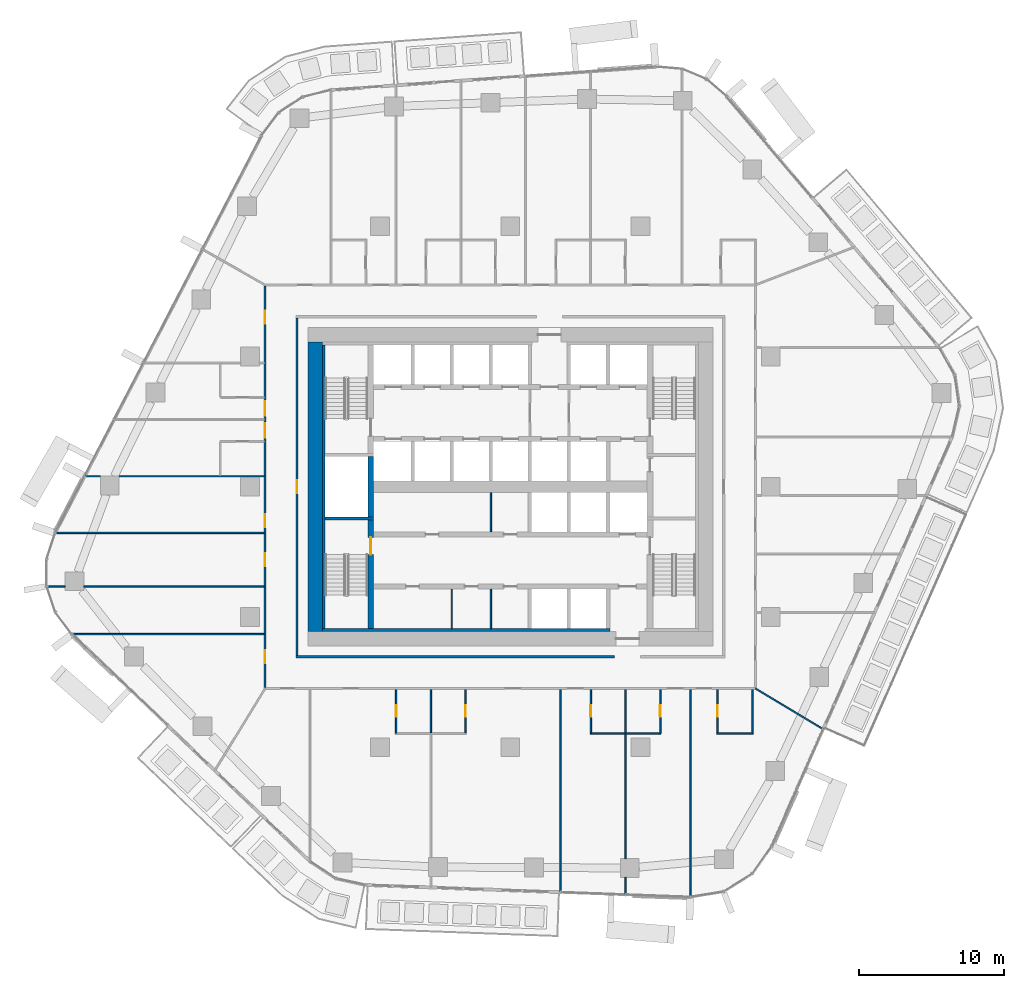
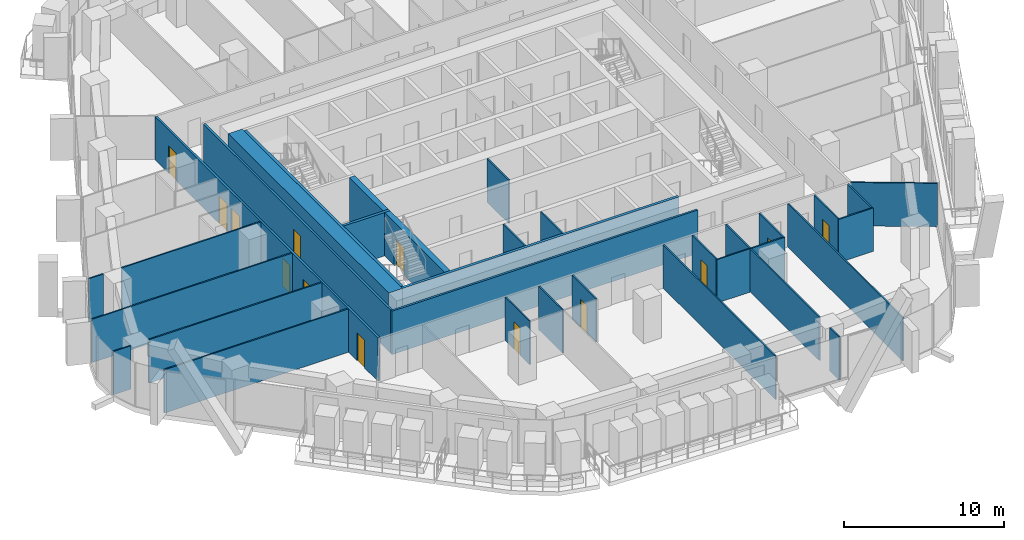
# One storey, part 12 of 24: 33 walls, 13 doors, 13 openings.
"""IFC4 building model written with IfcOpenShell, lengths in metres."""

from ifc_helpers import new_model, si_unit, direction, frame, frame_2d, origin, place, context, subcontext, project, spatial, rectangle, extrude, material, layer, layer_set, type_object, element, fill, save


model = new_model("IFC4")

# Units and contexts
model_context = context("Model", 3, precision=1e-05, world=origin(), true_north=direction((0.0, 1.0)))
body_context = subcontext(model_context, "Body", "Model", "MODEL_VIEW")
ifc_project = project(units=[si_unit("LENGTHUNIT", "METRE"), si_unit("AREAUNIT", "SQUARE_METRE"), si_unit("VOLUMEUNIT", "CUBIC_METRE"), si_unit("PLANEANGLEUNIT", "RADIAN"), si_unit("MASSUNIT", "GRAM", prefix="KILO")], contexts=[model_context])

# Site, building, storey
site_placement = place(None, origin())
site = spatial("IfcSite", under=ifc_project, at=site_placement, CompositionType="ELEMENT")
building_placement = place(site_placement, origin())
building = spatial("IfcBuilding", under=site, at=building_placement, Name="Dongbaek Canopy Tower", CompositionType="ELEMENT")
storey_placement = place(building_placement, frame((0.0, 0.0, 113.699951171875)))
storey = spatial("IfcBuildingStorey", under=building, at=storey_placement, Name="L24", CompositionType="ELEMENT", Elevation=113.699951171875)

# Walls
ifc_material_1 = material(Name="Concrete C60/75", Category="concrete")
ifc_layer_1 = layer(ifc_material_1, 1.0)
ifc_layer_set_1 = layer_set([ifc_layer_1], Name="Core outer wall 1000 Concrete C60/75")
wall_type_1 = type_object("IfcWallType", Name="Core outer wall 1000 Concrete C60/75", PredefinedType="SHEAR", material=ifc_layer_set_1)
wall_1_placement = place(storey_placement, frame((-13.5, -10.0, 0.0), z_axis=(0.0, 0.0, 1.0), x_axis=(0.0, 1.0, 0.0)))
element("IfcWall", 1, at=wall_1_placement, inside=storey, type_object=wall_type_1, Name="Core wall", PredefinedType="SHEAR", context=body_context, shape_type="SweptSolid", body=[
    extrude(rectangle(XDim=20.0, YDim=1.0, at=frame_2d((10.0, 0.0))), origin(), (0.0, 0.0, 1.0), 3.300048828125),
])
ifc_material_2 = material(Name="Concrete C60/75", Category="concrete")
ifc_layer_2 = layer(ifc_material_2, 0.199951171875)
ifc_layer_set_2 = layer_set([ifc_layer_2], Name="Core wall lining 200 Concrete C60/75")
wall_type_2 = type_object("IfcWallType", Name="Core wall lining 200 Concrete C60/75", PredefinedType="SHEAR", material=ifc_layer_set_2)
wall_2_placement = place(storey_placement, frame((6.89990234375, -9.89990234375, 0.0), z_axis=(0.0, 0.0, 1.0), x_axis=(-1.0, 0.0, 0.0)))
element("IfcWall", 2, at=wall_2_placement, inside=storey, type_object=wall_type_2, Name="Core wall lining", PredefinedType="SHEAR", context=body_context, shape_type="SweptSolid", body=[
    extrude(rectangle(XDim=19.89990234375, YDim=0.199951171875, at=frame_2d((9.949951171875, 0.0))), origin(), (0.0, 0.0, 1.0), 3.300048828125),
])
wall_3_placement = place(storey_placement, frame((-12.89990234375, -9.800048828125, 0.0), z_axis=(0.0, 0.0, 1.0), x_axis=(0.0, 1.0, 0.0)))
element("IfcWall", 3, at=wall_3_placement, inside=storey, type_object=wall_type_2, Name="Core wall lining", PredefinedType="SHEAR", context=body_context, shape_type="SweptSolid", body=[
    extrude(rectangle(XDim=19.60009765625, YDim=0.199951171875, at=frame_2d((9.800048828125, 0.0))), origin(), (0.0, 0.0, 1.0), 3.300048828125),
])
ifc_material_3 = material(Name="Gypsum board partition, steel stud, 2 x 15 mm fire board", Category="steel")
ifc_layer_3 = layer(ifc_material_3, 0.14990234375)
ifc_layer_set_3 = layer_set([ifc_layer_3], Name="Fire-rated partition 150 gypsum board")
wall_type_3 = type_object("IfcWallType", Name="Fire-rated partition 150 gypsum board", PredefinedType="PARTITIONING", material=ifc_layer_set_3)
wall_4_placement = place(storey_placement, frame((-14.824951171875, -11.75, 0.0), z_axis=(0.0, 0.0, 1.0), x_axis=(1.0, 0.0, 0.0)))
element("IfcWall", 4, at=wall_4_placement, inside=storey, type_object=wall_type_3, Name="Corridor partition", PredefinedType="PARTITIONING", context=body_context, shape_type="SweptSolid", body=[
    extrude(rectangle(XDim=22.02490234375, YDim=0.14990234375, at=frame_2d((11.012451171875, 0.0))), origin(), (0.0, 0.0, 1.0), 3.300048828125),
])

# Wall, opening, door
wall_5_placement = place(storey_placement, frame((-14.75, 11.675048828125, 0.0), z_axis=(0.0, 0.0, 1.0), x_axis=(0.0, -1.0, 0.0)))
wall_5 = element("IfcWall", 5, at=wall_5_placement, inside=storey, type_object=wall_type_3, Name="Corridor partition", PredefinedType="PARTITIONING", context=body_context, shape_type="SweptSolid", body=[
    extrude(rectangle(XDim=23.35009765625, YDim=0.14990234375, at=frame_2d((11.675048828125, 0.0))), origin(), (0.0, 0.0, 1.0), 3.300048828125),
])
opening_1_placement = place(wall_5_placement, frame((11.22509765625, 0.0, 0.0)))
opening_1 = element("IfcOpeningElement", 6, at=opening_1_placement, cuts=wall_5, Name="Opening L24-D039", PredefinedType="OPENING", context=body_context, shape_type="SweptSolid", body=[
    extrude(rectangle(XDim=0.89990234375, YDim=2.10009765625, at=frame_2d((0.449951171875, 1.050048828125))), frame((0.0, 0.0849609375, 0.0), z_axis=(0.0, -1.0, 0.0), x_axis=(1.0, 0.0, 0.0)), (0.0, 0.0, 1.0), 0.169921875),
])
ifc_material_4 = material(Name="Timber veneered door leaf", Category="wood")
door_type_1 = type_object("IfcDoorType", Name="Room door 900 x 2100", OperationType="SINGLE_SWING_LEFT", PredefinedType="DOOR", material=ifc_material_4)
door_1_placement = place(opening_1_placement, origin())
door_1 = element("IfcDoor", 7, at=door_1_placement, inside=storey, type_object=door_type_1, Name="Door L24-D039", OperationType="SINGLE_SWING_RIGHT", OverallHeight=2.10009765625, OverallWidth=0.89990234375, PredefinedType="DOOR", context=body_context, shape_type="SweptSolid", body=[
    extrude(rectangle(XDim=0.89990234375, YDim=2.10009765625, at=frame_2d((0.449951171875, 1.050048828125))), frame((0.0, 0.02490234375, 0.0), z_axis=(0.0, -1.0, 0.0), x_axis=(1.0, 0.0, 0.0)), (0.0, 0.0, 1.0), 0.050048828125),
])
fill(opening_1, door_1)

# Wall, openings, doors
wall_6_placement = place(storey_placement, frame((-16.949951171875, -13.875, 0.0), z_axis=(0.0, 0.0, 1.0), x_axis=(0.0, 1.0, 0.0)))
wall_6 = element("IfcWall", 8, at=wall_6_placement, inside=storey, type_object=wall_type_3, Name="Corridor partition", PredefinedType="PARTITIONING", context=body_context, shape_type="SweptSolid", body=[
    extrude(rectangle(XDim=27.75, YDim=0.14990234375, at=frame_2d((13.875, 0.0))), origin(), (0.0, 0.0, 1.0), 3.300048828125),
])
opening_2_placement = place(wall_6_placement, frame((11.059814453125, 0.0, 0.0)))
opening_2 = element("IfcOpeningElement", 9, at=opening_2_placement, cuts=wall_6, Name="Opening L24-D001", PredefinedType="OPENING", context=body_context, shape_type="SweptSolid", body=[
    extrude(rectangle(XDim=0.89990234375, YDim=2.10009765625, at=frame_2d((0.449951171875, 1.050048828125))), frame((0.0, 0.0849609375, 0.0), z_axis=(0.0, -1.0, 0.0), x_axis=(1.0, 0.0, 0.0)), (0.0, 0.0, 1.0), 0.169921875),
])
opening_3_placement = place(wall_6_placement, frame((8.386962890625, 0.0, 0.0)))
opening_3 = element("IfcOpeningElement", 10, at=opening_3_placement, cuts=wall_6, Name="Opening L24-D002", PredefinedType="OPENING", context=body_context, shape_type="SweptSolid", body=[
    extrude(rectangle(XDim=0.89990234375, YDim=2.10009765625, at=frame_2d((0.449951171875, 1.050048828125))), frame((0.0, 0.0849609375, 0.0), z_axis=(0.0, -1.0, 0.0), x_axis=(1.0, 0.0, 0.0)), (0.0, 0.0, 1.0), 0.169921875),
])
opening_4_placement = place(wall_6_placement, frame((1.665771484375, 0.0, 0.0)))
opening_4 = element("IfcOpeningElement", 11, at=opening_4_placement, cuts=wall_6, Name="Opening L24-D003", PredefinedType="OPENING", context=body_context, shape_type="SweptSolid", body=[
    extrude(rectangle(XDim=0.89990234375, YDim=2.10009765625, at=frame_2d((0.449951171875, 1.050048828125))), frame((0.0, 0.0849609375, 0.0), z_axis=(0.0, -1.0, 0.0), x_axis=(1.0, 0.0, 0.0)), (0.0, 0.0, 1.0), 0.169921875),
])
opening_5_placement = place(wall_6_placement, frame((25.151611328125, 0.0, 0.0)))
opening_5 = element("IfcOpeningElement", 12, at=opening_5_placement, cuts=wall_6, Name="Opening L24-D034", PredefinedType="OPENING", context=body_context, shape_type="SweptSolid", body=[
    extrude(rectangle(XDim=0.89990234375, YDim=2.10009765625, at=frame_2d((0.449951171875, 1.050048828125))), frame((0.0, 0.0849609375, 0.0), z_axis=(0.0, -1.0, 0.0), x_axis=(1.0, 0.0, 0.0)), (0.0, 0.0, 1.0), 0.169921875),
])
opening_6_placement = place(wall_6_placement, frame((18.78173828125, 0.0, 0.0)))
opening_6 = element("IfcOpeningElement", 13, at=opening_6_placement, cuts=wall_6, Name="Opening L24-D036", PredefinedType="OPENING", context=body_context, shape_type="SweptSolid", body=[
    extrude(rectangle(XDim=1.0, YDim=2.10009765625, at=frame_2d((0.5, 1.050048828125))), frame((0.0, 0.0849609375, 0.0), z_axis=(0.0, -1.0, 0.0), x_axis=(1.0, 0.0, 0.0)), (0.0, 0.0, 1.0), 0.169921875),
])
opening_7_placement = place(wall_6_placement, frame((17.259765625, 0.0, 0.0)))
opening_7 = element("IfcOpeningElement", 14, at=opening_7_placement, cuts=wall_6, Name="Opening L24-D038", PredefinedType="OPENING", context=body_context, shape_type="SweptSolid", body=[
    extrude(rectangle(XDim=1.0, YDim=2.10009765625, at=frame_2d((0.5, 1.050048828125))), frame((0.0, 0.0849609375, 0.0), z_axis=(0.0, -1.0, 0.0), x_axis=(1.0, 0.0, 0.0)), (0.0, 0.0, 1.0), 0.169921875),
])
ifc_material_5 = material(Name="Timber veneered door leaf", Category="wood")
door_type_2 = type_object("IfcDoorType", Name="Guest room door 1000 x 2100", OperationType="SINGLE_SWING_LEFT", PredefinedType="DOOR", material=ifc_material_5)
door_2_placement = place(opening_6_placement, origin())
door_2 = element("IfcDoor", 15, at=door_2_placement, inside=storey, type_object=door_type_2, Name="Door L24-D036", OperationType="SINGLE_SWING_RIGHT", OverallHeight=2.10009765625, OverallWidth=1.0, PredefinedType="DOOR", context=body_context, shape_type="SweptSolid", body=[
    extrude(rectangle(XDim=1.0, YDim=2.10009765625, at=frame_2d((0.5, 1.050048828125))), frame((0.0, 0.02490234375, 0.0), z_axis=(0.0, -1.0, 0.0), x_axis=(1.0, 0.0, 0.0)), (0.0, 0.0, 1.0), 0.050048828125),
])
fill(opening_6, door_2)
door_3_placement = place(opening_7_placement, origin())
door_3 = element("IfcDoor", 16, at=door_3_placement, inside=storey, type_object=door_type_2, Name="Door L24-D038", OperationType="SINGLE_SWING_LEFT", OverallHeight=2.10009765625, OverallWidth=1.0, PredefinedType="DOOR", context=body_context, shape_type="SweptSolid", body=[
    extrude(rectangle(XDim=1.0, YDim=2.10009765625, at=frame_2d((0.5, 1.050048828125))), frame((0.0, 0.02490234375, 0.0), z_axis=(0.0, -1.0, 0.0), x_axis=(1.0, 0.0, 0.0)), (0.0, 0.0, 1.0), 0.050048828125),
])
fill(opening_7, door_3)
door_4_placement = place(opening_2_placement, origin())
door_4 = element("IfcDoor", 17, at=door_4_placement, inside=storey, type_object=door_type_1, Name="Door L24-D001", OperationType="SINGLE_SWING_RIGHT", OverallHeight=2.10009765625, OverallWidth=0.89990234375, PredefinedType="DOOR", context=body_context, shape_type="SweptSolid", body=[
    extrude(rectangle(XDim=0.89990234375, YDim=2.10009765625, at=frame_2d((0.449951171875, 1.050048828125))), frame((0.0, 0.02490234375, 0.0), z_axis=(0.0, -1.0, 0.0), x_axis=(1.0, 0.0, 0.0)), (0.0, 0.0, 1.0), 0.050048828125),
])
fill(opening_2, door_4)
door_5_placement = place(opening_3_placement, origin())
door_5 = element("IfcDoor", 18, at=door_5_placement, inside=storey, type_object=door_type_1, Name="Door L24-D002", OperationType="SINGLE_SWING_LEFT", OverallHeight=2.10009765625, OverallWidth=0.89990234375, PredefinedType="DOOR", context=body_context, shape_type="SweptSolid", body=[
    extrude(rectangle(XDim=0.89990234375, YDim=2.10009765625, at=frame_2d((0.449951171875, 1.050048828125))), frame((0.0, 0.02490234375, 0.0), z_axis=(0.0, -1.0, 0.0), x_axis=(1.0, 0.0, 0.0)), (0.0, 0.0, 1.0), 0.050048828125),
])
fill(opening_3, door_5)
door_6_placement = place(opening_4_placement, origin())
door_6 = element("IfcDoor", 19, at=door_6_placement, inside=storey, type_object=door_type_1, Name="Door L24-D003", OperationType="SINGLE_SWING_LEFT", OverallHeight=2.10009765625, OverallWidth=0.89990234375, PredefinedType="DOOR", context=body_context, shape_type="SweptSolid", body=[
    extrude(rectangle(XDim=0.89990234375, YDim=2.10009765625, at=frame_2d((0.449951171875, 1.050048828125))), frame((0.0, 0.02490234375, 0.0), z_axis=(0.0, -1.0, 0.0), x_axis=(1.0, 0.0, 0.0)), (0.0, 0.0, 1.0), 0.050048828125),
])
fill(opening_4, door_6)
door_7_placement = place(opening_5_placement, origin())
door_7 = element("IfcDoor", 20, at=door_7_placement, inside=storey, type_object=door_type_1, Name="Door L24-D034", OperationType="SINGLE_SWING_LEFT", OverallHeight=2.10009765625, OverallWidth=0.89990234375, PredefinedType="DOOR", context=body_context, shape_type="SweptSolid", body=[
    extrude(rectangle(XDim=0.89990234375, YDim=2.10009765625, at=frame_2d((0.449951171875, 1.050048828125))), frame((0.0, 0.02490234375, 0.0), z_axis=(0.0, -1.0, 0.0), x_axis=(1.0, 0.0, 0.0)), (0.0, 0.0, 1.0), 0.050048828125),
])
fill(opening_5, door_7)

# Walls
ifc_material_6 = material(Name="Gypsum board partition, steel stud, 2 x 12.5 mm board", Category="steel")
ifc_layer_4 = layer(ifc_material_6, 0.10009765625)
ifc_layer_set_4 = layer_set([ifc_layer_4], Name="Partition 100 gypsum board")
wall_type_4 = type_object("IfcWallType", Name="Partition 100 gypsum board", PredefinedType="PARTITIONING", material=ifc_layer_set_4)
wall_7_placement = place(storey_placement, frame((5.5126953125, -17.050048828125, 0.0), z_axis=(0.0, 0.0, 1.0), x_axis=(1.0, 0.0, 0.0)))
element("IfcWall", 21, at=wall_7_placement, inside=storey, type_object=wall_type_4, Name="Partition", PredefinedType="PARTITIONING", context=body_context, shape_type="SweptSolid", body=[
    extrude(rectangle(XDim=4.89990234375, YDim=0.10009765625, at=frame_2d((2.449951171875, 0.0))), origin(), (0.0, 0.0, 1.0), 3.300048828125),
])
wall_8_placement = place(storey_placement, frame((14.2724609375, -17.050048828125, 0.0), z_axis=(0.0, 0.0, 1.0), x_axis=(1.0, 0.0, 0.0)))
element("IfcWall", 22, at=wall_8_placement, inside=storey, type_object=wall_type_4, Name="Partition", PredefinedType="PARTITIONING", context=body_context, shape_type="SweptSolid", body=[
    extrude(rectangle(XDim=2.5, YDim=0.10009765625, at=frame_2d((1.25, 0.0))), origin(), (0.0, 0.0, 1.0), 3.300048828125),
])
wall_9_placement = place(storey_placement, frame((-30.268310546875, -10.19091796875, 0.0), z_axis=(0.0, 0.0, 1.0), x_axis=(1.0, 0.0, 0.0)))
element("IfcWall", 23, at=wall_9_placement, inside=storey, type_object=wall_type_4, Name="Partition", PredefinedType="PARTITIONING", context=body_context, shape_type="SweptSolid", body=[
    extrude(rectangle(XDim=13.243408203125, YDim=0.10009765625, at=frame_2d((6.62158203125, 0.0))), origin(), (0.0, 0.0, 1.0), 3.300048828125),
])
wall_10_placement = place(storey_placement, frame((-32.02685546875, -6.885009765625, 0.0), z_axis=(0.0, 0.0, 1.0), x_axis=(1.0, 0.0, 0.0)))
element("IfcWall", 24, at=wall_10_placement, inside=storey, type_object=wall_type_4, Name="Partition", PredefinedType="PARTITIONING", context=body_context, shape_type="SweptSolid", body=[
    extrude(rectangle(XDim=1.251953125, YDim=0.10009765625, at=frame_2d((0.6259765625, 0.0))), origin(), (0.0, 0.0, 1.0), 3.300048828125),
])
wall_11_placement = place(storey_placement, frame((-29.47509765625, -6.885009765625, 0.0), z_axis=(0.0, 0.0, 1.0), x_axis=(1.0, 0.0, 0.0)))
element("IfcWall", 25, at=wall_11_placement, inside=storey, type_object=wall_type_4, Name="Partition", PredefinedType="PARTITIONING", context=body_context, shape_type="SweptSolid", body=[
    extrude(rectangle(XDim=12.4501953125, YDim=0.10009765625, at=frame_2d((6.22509765625, 0.0))), origin(), (0.0, 0.0, 1.0), 3.300048828125),
])
wall_12_placement = place(storey_placement, frame((-31.43896484375, -3.19091796875, 0.0), z_axis=(0.0, 0.0, 1.0), x_axis=(1.0, 0.0, 0.0)))
element("IfcWall", 26, at=wall_12_placement, inside=storey, type_object=wall_type_4, Name="Partition", PredefinedType="PARTITIONING", context=body_context, shape_type="SweptSolid", body=[
    extrude(rectangle(XDim=14.4140625, YDim=0.10009765625, at=frame_2d((7.20703125, 0.0))), origin(), (0.0, 0.0, 1.0), 3.300048828125),
])
wall_13_placement = place(storey_placement, frame((-29.406005859375, 0.72412109375, 0.0), z_axis=(0.0, 0.0, 1.0), x_axis=(1.0, 0.0, 0.0)))
element("IfcWall", 27, at=wall_13_placement, inside=storey, type_object=wall_type_4, Name="Partition", PredefinedType="PARTITIONING", context=body_context, shape_type="SweptSolid", body=[
    extrude(rectangle(XDim=1.06298828125, YDim=0.10009765625, at=frame_2d((0.531494140625, 0.0))), origin(), (0.0, 0.0, 1.0), 3.300048828125),
])
wall_14_placement = place(storey_placement, frame((-27.04296875, 0.72412109375, 0.0), z_axis=(0.0, 0.0, 1.0), x_axis=(1.0, 0.0, 0.0)))
element("IfcWall", 28, at=wall_14_placement, inside=storey, type_object=wall_type_4, Name="Partition", PredefinedType="PARTITIONING", context=body_context, shape_type="SweptSolid", body=[
    extrude(rectangle(XDim=10.01806640625, YDim=0.10009765625, at=frame_2d((5.009033203125, 0.0))), origin(), (0.0, 0.0, 1.0), 3.300048828125),
])
wall_15_placement = place(storey_placement, frame((16.721923828125, -17.0, 0.0), z_axis=(0.0, 0.0, 1.0), x_axis=(0.0, 1.0, 0.0)))
element("IfcWall", 29, at=wall_15_placement, inside=storey, type_object=wall_type_4, Name="Partition", PredefinedType="PARTITIONING", context=body_context, shape_type="SweptSolid", body=[
    extrude(rectangle(XDim=2.97509765625, YDim=0.10009765625, at=frame_2d((1.487548828125, 0.0))), origin(), (0.0, 0.0, 1.0), 3.300048828125),
])

# Wall, opening, door
wall_16_placement = place(storey_placement, frame((14.322021484375, -14.02490234375, 0.0), z_axis=(0.0, 0.0, 1.0), x_axis=(0.0, -1.0, 0.0)))
wall_16 = element("IfcWall", 30, at=wall_16_placement, inside=storey, type_object=wall_type_4, Name="Partition", PredefinedType="PARTITIONING", context=body_context, shape_type="SweptSolid", body=[
    extrude(rectangle(XDim=3.025146484375, YDim=0.10009765625, at=frame_2d((1.5126953125, 0.0))), origin(), (0.0, 0.0, 1.0), 3.300048828125),
])
opening_8_placement = place(wall_16_placement, frame((1.074951171875, 0.0, 0.0)))
opening_8 = element("IfcOpeningElement", 31, at=opening_8_placement, cuts=wall_16, Name="Opening L24-D013", PredefinedType="OPENING", context=body_context, shape_type="SweptSolid", body=[
    extrude(rectangle(XDim=0.800048828125, YDim=2.10009765625, at=frame_2d((0.39990234375, 1.050048828125))), frame((0.0, 0.06005859375, 0.0), z_axis=(0.0, -1.0, 0.0), x_axis=(1.0, 0.0, 0.0)), (0.0, 0.0, 1.0), 0.1201171875),
])
ifc_material_7 = material(Name="Timber veneered door leaf", Category="wood")
door_type_3 = type_object("IfcDoorType", Name="En-suite door 800 x 2100", OperationType="SINGLE_SWING_LEFT", PredefinedType="DOOR", material=ifc_material_7)
door_8_placement = place(opening_8_placement, origin())
door_8 = element("IfcDoor", 32, at=door_8_placement, inside=storey, type_object=door_type_3, Name="Door L24-D013", OperationType="SINGLE_SWING_RIGHT", OverallHeight=2.10009765625, OverallWidth=0.800048828125, PredefinedType="DOOR", context=body_context, shape_type="SweptSolid", body=[
    extrude(rectangle(XDim=0.800048828125, YDim=2.10009765625, at=frame_2d((0.39990234375, 1.050048828125))), frame((0.0, 0.02490234375, 0.0), z_axis=(0.0, -1.0, 0.0), x_axis=(1.0, 0.0, 0.0)), (0.0, 0.0, 1.0), 0.050048828125),
])
fill(opening_8, door_8)

# Wall
wall_17_placement = place(storey_placement, frame((12.43994140625, -28.33447265625, 0.0), z_axis=(0.0, 0.0, 1.0), x_axis=(0.0, 1.0, 0.0)))
element("IfcWall", 33, at=wall_17_placement, inside=storey, type_object=wall_type_4, Name="Partition", PredefinedType="PARTITIONING", context=body_context, shape_type="SweptSolid", body=[
    extrude(rectangle(XDim=14.3095703125, YDim=0.10009765625, at=frame_2d((7.15478515625, 0.0))), origin(), (0.0, 0.0, 1.0), 3.300048828125),
])

# Wall, opening, door
wall_18_placement = place(storey_placement, frame((10.363037109375, -17.050048828125, 0.0), z_axis=(0.0, 0.0, 1.0), x_axis=(0.0, 1.0, 0.0)))
wall_18 = element("IfcWall", 34, at=wall_18_placement, inside=storey, type_object=wall_type_4, Name="Partition", PredefinedType="PARTITIONING", context=body_context, shape_type="SweptSolid", body=[
    extrude(rectangle(XDim=3.025146484375, YDim=0.10009765625, at=frame_2d((1.5126953125, 0.0))), origin(), (0.0, 0.0, 1.0), 3.300048828125),
])
opening_9_placement = place(wall_18_placement, frame((1.14990234375, 0.0, 0.0)))
opening_9 = element("IfcOpeningElement", 35, at=opening_9_placement, cuts=wall_18, Name="Opening L24-D011", PredefinedType="OPENING", context=body_context, shape_type="SweptSolid", body=[
    extrude(rectangle(XDim=0.800048828125, YDim=2.10009765625, at=frame_2d((0.39990234375, 1.050048828125))), frame((0.0, 0.06005859375, 0.0), z_axis=(0.0, -1.0, 0.0), x_axis=(1.0, 0.0, 0.0)), (0.0, 0.0, 1.0), 0.1201171875),
])
door_9_placement = place(opening_9_placement, origin())
door_9 = element("IfcDoor", 36, at=door_9_placement, inside=storey, type_object=door_type_3, Name="Door L24-D011", OperationType="SINGLE_SWING_LEFT", OverallHeight=2.10009765625, OverallWidth=0.800048828125, PredefinedType="DOOR", context=body_context, shape_type="SweptSolid", body=[
    extrude(rectangle(XDim=0.800048828125, YDim=2.10009765625, at=frame_2d((0.39990234375, 1.050048828125))), frame((0.0, 0.02490234375, 0.0), z_axis=(0.0, -1.0, 0.0), x_axis=(1.0, 0.0, 0.0)), (0.0, 0.0, 1.0), 0.050048828125),
])
fill(opening_9, door_9)

# Walls
wall_19_placement = place(storey_placement, frame((7.962890625, -28.169677734375, 0.0), z_axis=(0.0, 0.0, 1.0), x_axis=(0.0, 1.0, 0.0)))
element("IfcWall", 37, at=wall_19_placement, inside=storey, type_object=wall_type_4, Name="Partition", PredefinedType="PARTITIONING", context=body_context, shape_type="SweptSolid", body=[
    extrude(rectangle(XDim=1.170654296875, YDim=0.10009765625, at=frame_2d((0.58544921875, 0.0))), origin(), (0.0, 0.0, 1.0), 3.300048828125),
])
wall_20_placement = place(storey_placement, frame((7.962890625, -25.698974609375, 0.0), z_axis=(0.0, 0.0, 1.0), x_axis=(0.0, 1.0, 0.0)))
element("IfcWall", 38, at=wall_20_placement, inside=storey, type_object=wall_type_4, Name="Partition", PredefinedType="PARTITIONING", context=body_context, shape_type="SweptSolid", body=[
    extrude(rectangle(XDim=8.598876953125, YDim=0.10009765625, at=frame_2d((4.29931640625, 0.0))), origin(), (0.0, 0.0, 1.0), 3.300048828125),
])
wall_21_placement = place(storey_placement, frame((7.962890625, -17.0, 0.0), z_axis=(0.0, 0.0, 1.0), x_axis=(0.0, 1.0, 0.0)))
element("IfcWall", 39, at=wall_21_placement, inside=storey, type_object=wall_type_4, Name="Partition", PredefinedType="PARTITIONING", context=body_context, shape_type="SweptSolid", body=[
    extrude(rectangle(XDim=2.97509765625, YDim=0.10009765625, at=frame_2d((1.487548828125, 0.0))), origin(), (0.0, 0.0, 1.0), 3.300048828125),
])

# Wall, opening, door
wall_22_placement = place(storey_placement, frame((5.56298828125, -14.02490234375, 0.0), z_axis=(0.0, 0.0, 1.0), x_axis=(0.0, -1.0, 0.0)))
wall_22 = element("IfcWall", 40, at=wall_22_placement, inside=storey, type_object=wall_type_4, Name="Partition", PredefinedType="PARTITIONING", context=body_context, shape_type="SweptSolid", body=[
    extrude(rectangle(XDim=2.97509765625, YDim=0.10009765625, at=frame_2d((1.487548828125, 0.0))), origin(), (0.0, 0.0, 1.0), 3.300048828125),
])
opening_10_placement = place(wall_22_placement, frame((1.074951171875, 0.0, 0.0)))
opening_10 = element("IfcOpeningElement", 41, at=opening_10_placement, cuts=wall_22, Name="Opening L24-D009", PredefinedType="OPENING", context=body_context, shape_type="SweptSolid", body=[
    extrude(rectangle(XDim=0.800048828125, YDim=2.10009765625, at=frame_2d((0.39990234375, 1.050048828125))), frame((0.0, 0.06005859375, 0.0), z_axis=(0.0, -1.0, 0.0), x_axis=(1.0, 0.0, 0.0)), (0.0, 0.0, 1.0), 0.1201171875),
])
door_10_placement = place(opening_10_placement, origin())
door_10 = element("IfcDoor", 42, at=door_10_placement, inside=storey, type_object=door_type_3, Name="Door L24-D009", OperationType="SINGLE_SWING_RIGHT", OverallHeight=2.10009765625, OverallWidth=0.800048828125, PredefinedType="DOOR", context=body_context, shape_type="SweptSolid", body=[
    extrude(rectangle(XDim=0.800048828125, YDim=2.10009765625, at=frame_2d((0.39990234375, 1.050048828125))), frame((0.0, 0.02490234375, 0.0), z_axis=(0.0, -1.0, 0.0), x_axis=(1.0, 0.0, 0.0)), (0.0, 0.0, 1.0), 0.050048828125),
])
fill(opening_10, door_10)

# Wall
wall_23_placement = place(storey_placement, frame((3.47607421875, -28.00390625, 0.0), z_axis=(0.0, 0.0, 1.0), x_axis=(0.0, 1.0, 0.0)))
element("IfcWall", 43, at=wall_23_placement, inside=storey, type_object=wall_type_4, Name="Partition", PredefinedType="PARTITIONING", context=body_context, shape_type="SweptSolid", body=[
    extrude(rectangle(XDim=13.97900390625, YDim=0.10009765625, at=frame_2d((6.989501953125, 0.0))), origin(), (0.0, 0.0, 1.0), 3.300048828125),
])

# Wall, opening, door
wall_24_placement = place(storey_placement, frame((-3.092041015625, -17.0, 0.0), z_axis=(0.0, 0.0, 1.0), x_axis=(0.0, 1.0, 0.0)))
wall_24 = element("IfcWall", 44, at=wall_24_placement, inside=storey, type_object=wall_type_4, Name="Partition", PredefinedType="PARTITIONING", context=body_context, shape_type="SweptSolid", body=[
    extrude(rectangle(XDim=2.97509765625, YDim=0.10009765625, at=frame_2d((1.487548828125, 0.0))), origin(), (0.0, 0.0, 1.0), 3.300048828125),
])
opening_11_placement = place(wall_24_placement, frame((1.10009765625, 0.0, 0.0)))
opening_11 = element("IfcOpeningElement", 45, at=opening_11_placement, cuts=wall_24, Name="Opening L24-D007", PredefinedType="OPENING", context=body_context, shape_type="SweptSolid", body=[
    extrude(rectangle(XDim=0.800048828125, YDim=2.10009765625, at=frame_2d((0.39990234375, 1.050048828125))), frame((0.0, 0.06005859375, 0.0), z_axis=(0.0, -1.0, 0.0), x_axis=(1.0, 0.0, 0.0)), (0.0, 0.0, 1.0), 0.1201171875),
])
door_11_placement = place(opening_11_placement, origin())
door_11 = element("IfcDoor", 46, at=door_11_placement, inside=storey, type_object=door_type_3, Name="Door L24-D007", OperationType="SINGLE_SWING_LEFT", OverallHeight=2.10009765625, OverallWidth=0.800048828125, PredefinedType="DOOR", context=body_context, shape_type="SweptSolid", body=[
    extrude(rectangle(XDim=0.800048828125, YDim=2.10009765625, at=frame_2d((0.39990234375, 1.050048828125))), frame((0.0, 0.02490234375, 0.0), z_axis=(0.0, -1.0, 0.0), x_axis=(1.0, 0.0, 0.0)), (0.0, 0.0, 1.0), 0.050048828125),
])
fill(opening_11, door_11)

# Wall
wall_25_placement = place(storey_placement, frame((-5.491943359375, -17.0, 0.0), z_axis=(0.0, 0.0, 1.0), x_axis=(0.0, 1.0, 0.0)))
element("IfcWall", 47, at=wall_25_placement, inside=storey, type_object=wall_type_4, Name="Partition", PredefinedType="PARTITIONING", context=body_context, shape_type="SweptSolid", body=[
    extrude(rectangle(XDim=2.97509765625, YDim=0.10009765625, at=frame_2d((1.487548828125, 0.0))), origin(), (0.0, 0.0, 1.0), 3.300048828125),
])

# Wall, opening, door
wall_26_placement = place(storey_placement, frame((-7.89208984375, -14.02490234375, 0.0), z_axis=(0.0, 0.0, 1.0), x_axis=(0.0, -1.0, 0.0)))
wall_26 = element("IfcWall", 48, at=wall_26_placement, inside=storey, type_object=wall_type_4, Name="Partition", PredefinedType="PARTITIONING", context=body_context, shape_type="SweptSolid", body=[
    extrude(rectangle(XDim=3.025146484375, YDim=0.10009765625, at=frame_2d((1.5126953125, 0.0))), origin(), (0.0, 0.0, 1.0), 3.300048828125),
])
opening_12_placement = place(wall_26_placement, frame((1.074951171875, 0.0, 0.0)))
opening_12 = element("IfcOpeningElement", 49, at=opening_12_placement, cuts=wall_26, Name="Opening L24-D005", PredefinedType="OPENING", context=body_context, shape_type="SweptSolid", body=[
    extrude(rectangle(XDim=0.800048828125, YDim=2.10009765625, at=frame_2d((0.39990234375, 1.050048828125))), frame((0.0, 0.06005859375, 0.0), z_axis=(0.0, -1.0, 0.0), x_axis=(1.0, 0.0, 0.0)), (0.0, 0.0, 1.0), 0.1201171875),
])
door_12_placement = place(opening_12_placement, origin())
door_12 = element("IfcDoor", 50, at=door_12_placement, inside=storey, type_object=door_type_3, Name="Door L24-D005", OperationType="SINGLE_SWING_RIGHT", OverallHeight=2.10009765625, OverallWidth=0.800048828125, PredefinedType="DOOR", context=body_context, shape_type="SweptSolid", body=[
    extrude(rectangle(XDim=0.800048828125, YDim=2.10009765625, at=frame_2d((0.39990234375, 1.050048828125))), frame((0.0, 0.02490234375, 0.0), z_axis=(0.0, -1.0, 0.0), x_axis=(1.0, 0.0, 0.0)), (0.0, 0.0, 1.0), 0.050048828125),
])
fill(opening_12, door_12)

# Walls
wall_27_placement = place(storey_placement, frame((16.94970703125, -13.950439453125, 0.0), z_axis=(0.0, 0.0, 1.0), x_axis=(0.857183640751, -0.515010879525, 0.0)))
element("IfcWall", 51, at=wall_27_placement, inside=storey, type_object=wall_type_4, Name="Partition", PredefinedType="PARTITIONING", context=body_context, shape_type="SweptSolid", body=[
    extrude(rectangle(XDim=5.435546875, YDim=0.10009765625, at=frame_2d((2.7177734375, 0.0))), origin(), (0.0, 0.0, 1.0), 3.300048828125),
])
for number, where, z_axis, x_axis, name in (
    (52, (-1.35009765625, -9.800048828125, 0.0), (0.0, 0.0, 1.0), (0.0, 1.0, 0.0), "Core partition"),
    (53, (-1.35009765625, -3.125, 0.0), (0.0, 0.0, 1.0), (0.0, 1.0, 0.0), "Core partition"),
    (54, (-4.050048828125, -9.800048828125, 0.0), (0.0, 0.0, 1.0), (0.0, 1.0, 0.0), "Core partition"),
):
    element("IfcWall", number, at=place(storey_placement, frame(where, z_axis=z_axis, x_axis=x_axis)), inside=storey, type_object=wall_type_4, Name=name, PredefinedType="PARTITIONING", context=body_context, shape_type="SweptSolid", body=[
        extrude(rectangle(XDim=2.72509765625, YDim=0.10009765625, at=frame_2d((1.362548828125, 0.0))), origin(), (0.0, 0.0, 1.0), 3.300048828125),
    ])
ifc_material_8 = material(Name="Concrete C60/75", Category="concrete")
ifc_layer_5 = layer(ifc_material_8, 0.199951171875)
ifc_layer_set_5 = layer_set([ifc_layer_5], Name="Riser wall 200 Concrete C60/75")
wall_type_5 = type_object("IfcWallType", Name="Riser wall 200 Concrete C60/75", PredefinedType="SHEAR", material=ifc_layer_set_5)
wall_28_placement = place(storey_placement, frame((-9.449951171875, -2.199951171875, 0.0), z_axis=(0.0, 0.0, 1.0), x_axis=(-1.0, 0.0, 0.0)))
element("IfcWall", 55, at=wall_28_placement, inside=storey, type_object=wall_type_5, Name="Riser wall", PredefinedType="SHEAR", context=body_context, shape_type="SweptSolid", body=[
    extrude(rectangle(XDim=3.35009765625, YDim=0.199951171875, at=frame_2d((1.675048828125, 0.0))), origin(), (0.0, 0.0, 1.0), 3.300048828125),
])

# Wall, opening, door
ifc_material_9 = material(Name="Concrete C60/75", Category="concrete")
ifc_layer_6 = layer(ifc_material_9, 0.39990234375)
ifc_layer_set_6 = layer_set([ifc_layer_6], Name="Stair wall 400 Concrete C60/75")
wall_type_6 = type_object("IfcWallType", Name="Stair wall 400 Concrete C60/75", PredefinedType="SHEAR", material=ifc_layer_set_6)
wall_29_placement = place(storey_placement, frame((-9.64990234375, -9.800048828125, 0.0), z_axis=(0.0, 0.0, 1.0), x_axis=(0.0, 1.0, 0.0)))
wall_29 = element("IfcWall", 56, at=wall_29_placement, inside=storey, type_object=wall_type_6, Name="Stair wall", PredefinedType="SHEAR", context=body_context, shape_type="SweptSolid", body=[
    extrude(rectangle(XDim=7.5, YDim=0.39990234375, at=frame_2d((3.75, 0.0))), origin(), (0.0, 0.0, 1.0), 3.300048828125),
])
opening_13_placement = place(wall_29_placement, frame((5.10009765625, 0.0, 0.0)))
opening_13 = element("IfcOpeningElement", 57, at=opening_13_placement, cuts=wall_29, Name="Opening L24-D068", PredefinedType="OPENING", context=body_context, shape_type="SweptSolid", body=[
    extrude(rectangle(XDim=1.199951171875, YDim=2.10009765625, at=frame_2d((0.60009765625, 1.050048828125))), frame((0.0, 0.2099609375, 0.0), z_axis=(0.0, -1.0, 0.0), x_axis=(1.0, 0.0, 0.0)), (0.0, 0.0, 1.0), 0.419921875),
])
ifc_material_10 = material(Name="Steel", Category="steel")
door_type_4 = type_object("IfcDoorType", Name="Stair door 1200 x 2100", OperationType="SINGLE_SWING_LEFT", PredefinedType="DOOR", material=ifc_material_10)
door_13_placement = place(opening_13_placement, origin())
door_13 = element("IfcDoor", 58, at=door_13_placement, inside=storey, type_object=door_type_4, Name="Stair D door", OperationType="SINGLE_SWING_LEFT", OverallHeight=2.10009765625, OverallWidth=1.199951171875, PredefinedType="DOOR", context=body_context, shape_type="SweptSolid", body=[
    extrude(rectangle(XDim=1.199951171875, YDim=2.10009765625, at=frame_2d((0.60009765625, 1.050048828125))), frame((0.0, 0.02490234375, 0.0), z_axis=(0.0, -1.0, 0.0), x_axis=(1.0, 0.0, 0.0)), (0.0, 0.0, 1.0), 0.050048828125),
])
fill(opening_13, door_13)

# Wall
wall_30_placement = place(storey_placement, frame((-9.64990234375, -2.10009765625, 0.0), z_axis=(0.0, 0.0, 1.0), x_axis=(0.0, 1.0, 0.0)))
element("IfcWall", 59, at=wall_30_placement, inside=storey, type_object=wall_type_6, Name="Stair wall", PredefinedType="SHEAR", context=body_context, shape_type="SweptSolid", body=[
    extrude(rectangle(XDim=4.2001953125, YDim=0.39990234375, at=frame_2d((2.10009765625, 0.0))), origin(), (0.0, 0.0, 1.0), 3.300048828125),
])

save(model, "model.ifc")
